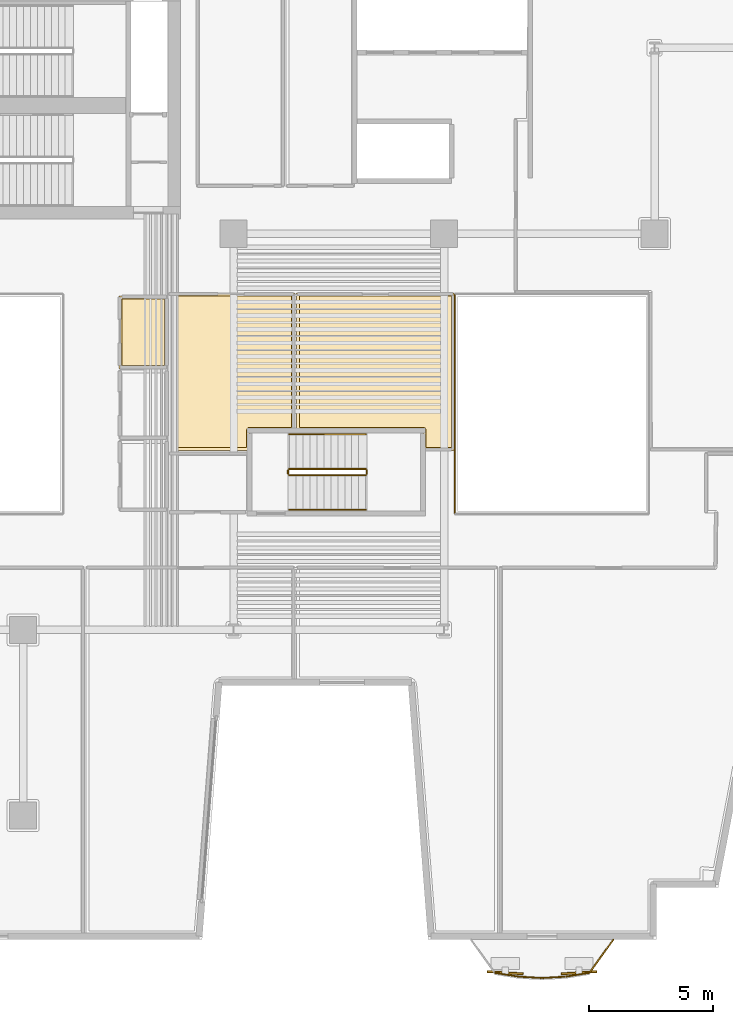
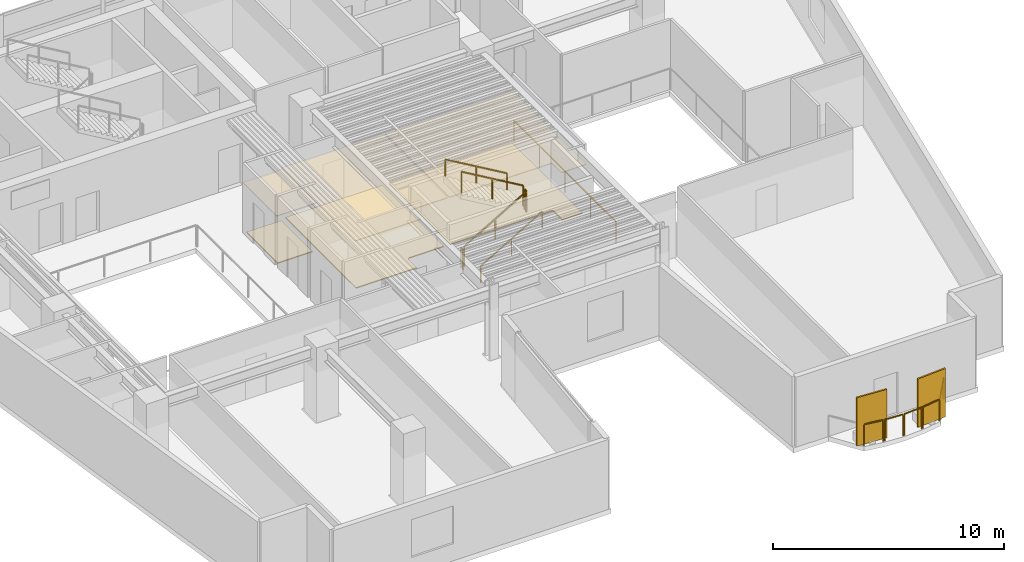
# One storey, part 10 of 12: 12 railings, 6 coverings, 2 shading devices.
"""IFC4 building model written with IfcOpenShell, lengths in metres."""

from ifc_helpers import new_model, si_unit, direction, frame, origin, origin_2d, place, context, subcontext, project, spatial, polyline, rectangle, outline, extrude, material, layer, layer_set, type_object, element, save


model = new_model("IFC4")

# Units and contexts
model_context = context("Model", 3, precision=1e-05, world=origin(), true_north=direction((0.0, 1.0)))
body_context = subcontext(model_context, "Body", "Model", "MODEL_VIEW")
ifc_project = project(units=[si_unit("LENGTHUNIT", "METRE"), si_unit("AREAUNIT", "SQUARE_METRE"), si_unit("VOLUMEUNIT", "CUBIC_METRE"), si_unit("PLANEANGLEUNIT", "RADIAN"), si_unit("MASSUNIT", "GRAM", prefix="KILO")], contexts=[model_context])

# Site, building, storey
site_placement = place(None, origin())
site = spatial("IfcSite", under=ifc_project, at=site_placement, CompositionType="ELEMENT")
building_placement = place(site_placement, origin())
building = spatial("IfcBuilding", under=site, at=building_placement, Name="Caeloran Harvest Quay", CompositionType="ELEMENT")
storey_placement = place(building_placement, frame((0.0, 0.0, 150.89990234375)))
storey = spatial("IfcBuildingStorey", under=building, at=storey_placement, Name="L35", CompositionType="ELEMENT", Elevation=150.89990234375)

# Coverings
ifc_material_1 = material(Name="Perforated Mineral-Fibre Acoustic Ceiling Tile", Category="ceiling")
ifc_layer_1 = layer(ifc_material_1, 0.0400390625, Name="Perforated Mineral-Fibre Acoustic Ceiling Tile")
ifc_layer_set_1 = layer_set([ifc_layer_1], Name="Perforated Mineral-Fibre Acoustic Ceiling Tile")
covering_type_1 = type_object("IfcCoveringType", Name="COV-CEILING-ACOUSTIC", PredefinedType="CEILING", material=ifc_layer_set_1)
covering_1_placement = place(storey_placement, frame((0.0, 0.0, 2.60009765625)))
element("IfcCovering", 1, at=covering_1_placement, inside=storey, type_object=covering_type_1, Name="L35 Male Washroom WC Acoustic Ceiling", PredefinedType="CEILING", context=body_context, shape_type="SweptSolid", body=[
    extrude(outline(polyline([(22.840087890625, 25.56005859375), (20.8701171875, 25.56005859375), (20.8701171875, 28.489990234375), (22.840087890625, 28.489990234375), (22.840087890625, 25.56005859375)])), origin(), (0.0, 0.0, 1.0), 0.0400390625),
])
covering_2_placement = place(storey_placement, frame((0.0, 0.0, 2.60009765625)))
element("IfcCovering", 2, at=covering_2_placement, inside=storey, type_object=covering_type_1, Name="Client Reception Salon Lounge Acoustic Ceiling", PredefinedType="CEILING", context=body_context, shape_type="SweptSolid", body=[
    extrude(outline(polyline([(22.8701171875, 28.512939453125), (22.85009765625, 28.52001953125), (22.85009765625, 28.610107421875), (27.9599609375, 28.610107421875), (27.9599609375, 23.06005859375), (26.139892578125, 23.06005859375), (26.139892578125, 22.239990234375), (22.8701171875, 22.239990234375), (22.8701171875, 28.512939453125)])), origin(), (0.0, 0.0, 1.0), 0.0400390625),
])
covering_3_placement = place(storey_placement, frame((0.0, 0.0, 2.60009765625)))
element("IfcCovering", 3, at=covering_3_placement, inside=storey, type_object=covering_type_1, Name="Supply-Chain Digital Trading Floor Office 9 Acoustic Ceiling", PredefinedType="CEILING", context=body_context, shape_type="SweptSolid", body=[
    extrude(outline(polyline([(33.159912109375, 23.06005859375), (28.0400390625, 23.06005859375), (28.0400390625, 28.610107421875), (34.409912109375, 28.610107421875), (34.409912109375, 22.239990234375), (33.159912109375, 22.239990234375), (33.159912109375, 23.06005859375)])), origin(), (0.0, 0.0, 1.0), 0.0400390625),
])
ifc_material_2 = material(Name="Calcium-Sulphate Raised Access Floor and Terrazzo Finish", Category="flooring")
ifc_layer_2 = layer(ifc_material_2, 0.050048828125, Name="Calcium-Sulphate Raised Access Floor and Terrazzo Finish")
ifc_layer_set_2 = layer_set([ifc_layer_2], Name="Calcium-Sulphate Raised Access Floor and Terrazzo Finish")
covering_type_2 = type_object("IfcCoveringType", Name="COV-FLOOR-RAISED", PredefinedType="FLOORING", material=ifc_layer_set_2)
covering_4_placement = place(storey_placement, origin())
element("IfcCovering", 4, at=covering_4_placement, inside=storey, type_object=covering_type_2, Name="L35 Male Washroom WC Raised Finish Flooring", PredefinedType="FLOORING", context=body_context, shape_type="SweptSolid", body=[
    extrude(outline(polyline([(22.719970703125, 25.679931640625), (20.989990234375, 25.679931640625), (20.989990234375, 28.3701171875), (22.719970703125, 28.3701171875), (22.719970703125, 25.679931640625)])), origin(), (0.0, 0.0, 1.0), 0.050048828125),
])
covering_5_placement = place(storey_placement, origin())
element("IfcCovering", 5, at=covering_5_placement, inside=storey, type_object=covering_type_2, Name="Client Reception Salon Lounge Raised Finish Flooring", PredefinedType="FLOORING", context=body_context, shape_type="SweptSolid", body=[
    extrude(outline(polyline([(22.989990234375, 28.489990234375), (27.840087890625, 28.489990234375), (27.840087890625, 23.179931640625), (26.084228515625, 23.169921875), (26.020263671875, 23.076904296875), (26.02001953125, 22.360107421875), (22.989990234375, 22.360107421875), (22.989990234375, 28.489990234375)])), origin(), (0.0, 0.0, 1.0), 0.050048828125),
])
covering_6_placement = place(storey_placement, origin())
element("IfcCovering", 6, at=covering_6_placement, inside=storey, type_object=covering_type_2, Name="Supply-Chain Digital Trading Floor Office 9 Raised Finish Flooring", PredefinedType="FLOORING", context=body_context, shape_type="SweptSolid", body=[
    extrude(outline(polyline([(33.280029296875, 23.070068359375), (33.25048828125, 23.14501953125), (33.169921875, 23.179931640625), (28.159912109375, 23.179931640625), (28.159912109375, 28.489990234375), (34.2900390625, 28.489990234375), (34.2900390625, 22.360107421875), (33.280029296875, 22.360107421875), (33.280029296875, 23.070068359375)])), origin(), (0.0, 0.0, 1.0), 0.050048828125),
])

# Railings
ifc_material_3 = material(Name="Powder-Coated Steel Post and Laminated Glass Guardrail", Category="steel")
ifc_layer_3 = layer(ifc_material_3, 0.06005859375, Name="Powder-Coated Steel Post and Laminated Glass Guardrail")
ifc_layer_set_3 = layer_set([ifc_layer_3], Name="Powder-Coated Steel Post and Laminated Glass Guardrail")
railing_type_1 = type_object("IfcRailingType", Name="GUARD-ATRIUM-1150", PredefinedType="GUARDRAIL", material=ifc_layer_set_3)
railing_1_placement = place(storey_placement, frame((34.429931640625, 28.5380859375, 0.0)))
element("IfcRailing", 7, at=railing_1_placement, inside=storey, type_object=railing_type_1, Name="L35 East Botanical Lightwell Guardrail Seg 4", PredefinedType="GUARDRAIL", context=body_context, shape_type="SweptSolid", body=[
    extrude(rectangle(XDim=0.048095703125, YDim=0.048095703125, at=origin_2d()), frame((0.0, 0.0, 1.1259765625), z_axis=(0.0, -1.0, 0.0), x_axis=(1.0, 0.0, 0.0)), (0.0, 0.0, 1.0), 8.826171875),
    extrude(rectangle(XDim=0.0419921875, YDim=0.0419921875, at=origin_2d()), origin(), (0.0, 0.0, 1.0), 1.101806640625),
    extrude(rectangle(XDim=0.0419921875, YDim=0.0419921875, at=origin_2d()), frame((0.0, -2.20654296875, 0.0)), (0.0, 0.0, 1.0), 1.101806640625),
    extrude(rectangle(XDim=0.0419921875, YDim=0.0419921875, at=origin_2d()), frame((0.0, -4.4130859375, 0.0)), (0.0, 0.0, 1.0), 1.101806640625),
    extrude(rectangle(XDim=0.0419921875, YDim=0.0419921875, at=origin_2d()), frame((0.0, -6.61962890625, 0.0)), (0.0, 0.0, 1.0), 1.101806640625),
    extrude(rectangle(XDim=0.0419921875, YDim=0.0419921875, at=origin_2d()), frame((0.0, -8.826171875, 0.0)), (0.0, 0.0, 1.0), 1.101806640625),
])
ifc_material_4 = material(Name="Laminated Safety Glass and Stainless Steel 316", Category="steel")
ifc_layer_4 = layer(ifc_material_4, 0.06005859375, Name="Laminated Safety Glass and Stainless Steel 316")
ifc_layer_set_4 = layer_set([ifc_layer_4], Name="Laminated Safety Glass and Stainless Steel 316")
railing_type_2 = type_object("IfcRailingType", Name="GUARD-BALUSTRADE-1150", PredefinedType="BALUSTRADE", material=ifc_layer_set_4)
railing_2_placement = place(storey_placement, frame((40.825927734375, 2.47998046875, 0.0)))
element("IfcRailing", 8, at=railing_2_placement, inside=storey, type_object=railing_type_2, Name="L35 Planted Balcony Perimeter Balustrade Guard Seg 1", PredefinedType="BALUSTRADE", context=body_context, shape_type="SweptSolid", body=[
    extrude(rectangle(XDim=0.048095703125, YDim=0.048095703125, at=origin_2d()), frame((0.0, 0.0, 1.1259765625), z_axis=(-0.583896070669, -0.811828417005, 0.0), x_axis=(0.811828417005, -0.583896070669, 0.0)), (0.0, 0.0, 1.0), 1.605712890625),
    extrude(rectangle(XDim=0.0419921875, YDim=0.0419921875, at=origin_2d()), origin(), (0.0, 0.0, 1.0), 1.101806640625),
    extrude(rectangle(XDim=0.0419921875, YDim=0.0419921875, at=origin_2d()), frame((-0.9375, -1.303466796875, 0.0)), (0.0, 0.0, 1.0), 1.101806640625),
])
railing_3_placement = place(storey_placement, frame((39.838134765625, 1.1455078125, 0.0)))
element("IfcRailing", 9, at=railing_3_placement, inside=storey, type_object=railing_type_2, Name="L35 Planted Balcony Perimeter Balustrade Guard Seg 2", PredefinedType="BALUSTRADE", context=body_context, shape_type="SweptSolid", body=[
    extrude(rectangle(XDim=0.048095703125, YDim=0.048095703125, at=origin_2d()), frame((0.0, 0.0, 1.1259765625), z_axis=(-0.987361321421, -0.158485396684, 0.0), x_axis=(0.158485396684, -0.987361321421, 0.0)), (0.0, 0.0, 1.0), 0.904296875),
    extrude(rectangle(XDim=0.0419921875, YDim=0.0419921875, at=origin_2d()), origin(), (0.0, 0.0, 1.0), 1.101806640625),
    extrude(rectangle(XDim=0.0419921875, YDim=0.0419921875, at=origin_2d()), frame((-0.892822265625, -0.143310546875, 0.0)), (0.0, 0.0, 1.0), 1.101806640625),
])
railing_4_placement = place(storey_placement, frame((38.8818359375, 0.9951171875, 0.0)))
element("IfcRailing", 10, at=railing_4_placement, inside=storey, type_object=railing_type_2, Name="L35 Planted Balcony Perimeter Balustrade Guard Seg 3", PredefinedType="BALUSTRADE", context=body_context, shape_type="SweptSolid", body=[
    extrude(rectangle(XDim=0.048095703125, YDim=0.048095703125, at=origin_2d()), frame((0.0, 0.0, 1.1259765625), z_axis=(-0.99829034714, -0.058449831543, 0.0), x_axis=(0.058449831543, -0.99829034714, 0.0)), (0.0, 0.0, 1.0), 0.893798828125),
    extrude(rectangle(XDim=0.0419921875, YDim=0.0419921875, at=origin_2d()), origin(), (0.0, 0.0, 1.0), 1.101806640625),
    extrude(rectangle(XDim=0.0419921875, YDim=0.0419921875, at=origin_2d()), frame((-0.892333984375, -0.05224609375, 0.0)), (0.0, 0.0, 1.0), 1.101806640625),
])
railing_5_placement = place(storey_placement, frame((37.925537109375, 0.94287109375, 0.0)))
element("IfcRailing", 11, at=railing_5_placement, inside=storey, type_object=railing_type_2, Name="L35 Planted Balcony Perimeter Balustrade Guard Seg 4", PredefinedType="BALUSTRADE", context=body_context, shape_type="SweptSolid", body=[
    extrude(rectangle(XDim=0.048095703125, YDim=0.048095703125, at=origin_2d()), frame((0.0, 0.0, 1.1259765625), z_axis=(-0.99829034714, 0.058449831543, 0.0), x_axis=(-0.058449831543, -0.99829034714, 0.0)), (0.0, 0.0, 1.0), 0.893798828125),
    extrude(rectangle(XDim=0.0419921875, YDim=0.0419921875, at=origin_2d()), origin(), (0.0, 0.0, 1.0), 1.101806640625),
    extrude(rectangle(XDim=0.0419921875, YDim=0.0419921875, at=origin_2d()), frame((-0.892333984375, 0.05224609375, 0.0)), (0.0, 0.0, 1.0), 1.101806640625),
])
railing_6_placement = place(storey_placement, frame((36.9697265625, 1.002197265625, 0.0)))
element("IfcRailing", 12, at=railing_6_placement, inside=storey, type_object=railing_type_2, Name="L35 Planted Balcony Perimeter Balustrade Guard Seg 5", PredefinedType="BALUSTRADE", context=body_context, shape_type="SweptSolid", body=[
    extrude(rectangle(XDim=0.048095703125, YDim=0.048095703125, at=origin_2d()), frame((0.0, 0.0, 1.1259765625), z_axis=(-0.987361321421, 0.158485396684, 0.0), x_axis=(-0.158485396684, -0.987361321421, 0.0)), (0.0, 0.0, 1.0), 0.904296875),
    extrude(rectangle(XDim=0.0419921875, YDim=0.0419921875, at=origin_2d()), origin(), (0.0, 0.0, 1.0), 1.101806640625),
    extrude(rectangle(XDim=0.0419921875, YDim=0.0419921875, at=origin_2d()), frame((-0.892822265625, 0.143310546875, 0.0)), (0.0, 0.0, 1.0), 1.101806640625),
])

# Shading devices
ifc_material_5 = material(Name="3003-H14 Perforated Powder-Coated Aluminium", Category="aluminium")
shading_device_type = type_object("IfcShadingDeviceType", Name="SHADE-SCREEN-FOLDED", PredefinedType="USERDEFINED", material=ifc_material_5)
for number, where, z_axis, x_axis, name in (
    (13, (39.44921875, 1.15478515625, 0.0751953125), (0.0, 0.0, 1.0), (0.997801468292, 0.0662739004, 0.0), "L35 Folded Facade Breathing Screen 1"),
    (14, (36.4658203125, 1.15478515625, 0.0751953125), (0.0, 0.0, 1.0), (0.997801468292, -0.0662739004, 0.0), "L35 Folded Facade Breathing Screen 2"),
):
    element("IfcShadingDevice", number, at=place(storey_placement, frame(where, z_axis=z_axis, x_axis=x_axis)), inside=storey, type_object=shading_device_type, Name=name, ObjectType="SCREEN", PredefinedType="USERDEFINED", context=body_context, shape_type="SweptSolid", body=[
        extrude(rectangle(XDim=1.449951171875, YDim=0.080078125, at=origin_2d()), origin(), (0.0, 0.0, 1.0), 2.550048828125),
    ])

# Railings
ifc_material_6 = material(Name="Painted Steel Baluster and Top-Rail Stair Guard", Category="steel")
ifc_layer_5 = layer(ifc_material_6, 0.050048828125, Name="Painted Steel Baluster and Top-Rail Stair Guard")
ifc_layer_set_5 = layer_set([ifc_layer_5], Name="Painted Steel Baluster and Top-Rail Stair Guard")
railing_type_3 = type_object("IfcRailingType", Name="STAIR-GUARD-1100", PredefinedType="GUARDRAIL", material=ifc_layer_set_5)
railing_7_placement = place(storey_placement, frame((27.75, 21.25, 0.164794921875)))
element("IfcRailing", 15, at=railing_7_placement, inside=storey, type_object=railing_type_3, Name="L35 ST-W1 stair guard 1", PredefinedType="GUARDRAIL", context=body_context, shape_type="SweptSolid", body=[
    extrude(rectangle(XDim=0.048095703125, YDim=0.048095703125, at=origin_2d()), frame((0.0, 0.0, 1.076171875), z_axis=(0.862118610829, 0.0, 0.506706523406), x_axis=(0.0, 1.0, 0.0)), (0.0, 0.0, 1.0), 3.57275390625),
    extrude(rectangle(XDim=0.0419921875, YDim=0.0419921875, at=origin_2d()), origin(), (0.0, 0.0, 1.0), 1.052001953125),
    extrude(rectangle(XDim=0.0419921875, YDim=0.0419921875, at=origin_2d()), frame((1.5400390625, 0.0, 0.9052734375)), (0.0, 0.0, 1.0), 1.052001953125),
    extrude(rectangle(XDim=0.0419921875, YDim=0.0419921875, at=origin_2d()), frame((3.080078125, 0.0, 1.810302734375)), (0.0, 0.0, 1.0), 1.052001953125),
])
railing_8_placement = place(storey_placement, frame((30.8798828125, 21.300048828125, 1.97509765625)))
element("IfcRailing", 16, at=railing_8_placement, inside=storey, type_object=railing_type_3, Name="L35 ST-W1 stair guard 2", PredefinedType="GUARDRAIL", context=body_context, shape_type="SweptSolid", body=[
    extrude(rectangle(XDim=0.048095703125, YDim=0.048095703125, at=origin_2d()), frame((0.0, 0.0, 1.076171875), z_axis=(0.0, 1.0, 0.0), x_axis=(-1.0, 0.0, 0.0)), (0.0, 0.0, 1.0), 0.14990234375),
    extrude(rectangle(XDim=0.0419921875, YDim=0.0419921875, at=origin_2d()), origin(), (0.0, 0.0, 1.0), 1.052001953125),
    extrude(rectangle(XDim=0.0419921875, YDim=0.0419921875, at=origin_2d()), frame((0.0, 0.14990234375, 0.0)), (0.0, 0.0, 1.0), 1.052001953125),
])
railing_9_placement = place(storey_placement, frame((30.830078125, 21.5, 2.1396484375)))
element("IfcRailing", 17, at=railing_9_placement, inside=storey, type_object=railing_type_3, Name="L35 ST-W1 stair guard 3", PredefinedType="GUARDRAIL", context=body_context, shape_type="SweptSolid", body=[
    extrude(rectangle(XDim=0.048095703125, YDim=0.048095703125, at=origin_2d()), frame((0.0, 0.0, 1.076171875), z_axis=(-0.862088758681, 0.0, 0.506757310905), x_axis=(0.0, -1.0, 0.0)), (0.0, 0.0, 1.0), 3.57275390625),
    extrude(rectangle(XDim=0.0419921875, YDim=0.0419921875, at=origin_2d()), origin(), (0.0, 0.0, 1.0), 1.052001953125),
    extrude(rectangle(XDim=0.0419921875, YDim=0.0419921875, at=origin_2d()), frame((-1.5400390625, 0.0, 0.9052734375)), (0.0, 0.0, 1.0), 1.052001953125),
    extrude(rectangle(XDim=0.0419921875, YDim=0.0419921875, at=origin_2d()), frame((-3.080078125, 0.0, 1.810546875)), (0.0, 0.0, 1.0), 1.052001953125),
])
railing_10_placement = place(storey_placement, frame((27.699951171875, 21.300048828125, 0.0)))
element("IfcRailing", 18, at=railing_10_placement, inside=storey, type_object=railing_type_3, Name="L35 ST-W1 stair guard 4", PredefinedType="GUARDRAIL", context=body_context, shape_type="SweptSolid", body=[
    extrude(rectangle(XDim=0.048095703125, YDim=0.048095703125, at=origin_2d()), frame((0.0, 0.0, 1.076171875), z_axis=(0.0, 1.0, 0.0), x_axis=(-1.0, 0.0, 0.0)), (0.0, 0.0, 1.0), 0.14990234375),
    extrude(rectangle(XDim=0.0419921875, YDim=0.0419921875, at=origin_2d()), origin(), (0.0, 0.0, 1.0), 1.052001953125),
    extrude(rectangle(XDim=0.0419921875, YDim=0.0419921875, at=origin_2d()), frame((0.0, 0.14990234375, 0.0)), (0.0, 0.0, 1.0), 1.052001953125),
])
ifc_material_7 = material(Name="Brushed Stainless Steel Grade 304", Category="steel")
ifc_layer_6 = layer(ifc_material_7, 0.050048828125, Name="Brushed Stainless Steel Grade 304")
ifc_layer_set_6 = layer_set([ifc_layer_6], Name="Brushed Stainless Steel Grade 304")
railing_type_4 = type_object("IfcRailingType", Name="STAIR-HANDRAIL-900", PredefinedType="HANDRAIL", material=ifc_layer_set_6)
railing_11_placement = place(storey_placement, frame((27.75, 19.85009765625, 0.164794921875)))
element("IfcRailing", 19, at=railing_11_placement, inside=storey, type_object=railing_type_4, Name="L35 ST-W1 stair handrail 1", PredefinedType="HANDRAIL", context=body_context, shape_type="SweptSolid", body=[
    extrude(rectangle(XDim=0.048095703125, YDim=0.048095703125, at=origin_2d()), frame((0.0, 0.0, 0.8759765625), z_axis=(0.862118610829, 0.0, 0.506706523406), x_axis=(0.0, 1.0, 0.0)), (0.0, 0.0, 1.0), 3.57275390625),
    extrude(rectangle(XDim=0.0419921875, YDim=0.0419921875, at=origin_2d()), origin(), (0.0, 0.0, 1.0), 0.851806640625),
    extrude(rectangle(XDim=0.0419921875, YDim=0.0419921875, at=origin_2d()), frame((1.5400390625, 0.0, 0.9052734375)), (0.0, 0.0, 1.0), 0.851806640625),
    extrude(rectangle(XDim=0.0419921875, YDim=0.0419921875, at=origin_2d()), frame((3.080078125, 0.0, 1.810302734375)), (0.0, 0.0, 1.0), 0.851806640625),
])
railing_12_placement = place(storey_placement, frame((30.830078125, 22.89990234375, 2.1396484375)))
element("IfcRailing", 20, at=railing_12_placement, inside=storey, type_object=railing_type_4, Name="L35 ST-W1 stair handrail 2", PredefinedType="HANDRAIL", context=body_context, shape_type="SweptSolid", body=[
    extrude(rectangle(XDim=0.048095703125, YDim=0.048095703125, at=origin_2d()), frame((0.0, 0.0, 0.8759765625), z_axis=(-0.862088758681, 0.0, 0.506757310905), x_axis=(0.0, -1.0, 0.0)), (0.0, 0.0, 1.0), 3.57275390625),
    extrude(rectangle(XDim=0.0419921875, YDim=0.0419921875, at=origin_2d()), origin(), (0.0, 0.0, 1.0), 0.851806640625),
    extrude(rectangle(XDim=0.0419921875, YDim=0.0419921875, at=origin_2d()), frame((-1.5400390625, 0.0, 0.9052734375)), (0.0, 0.0, 1.0), 0.851806640625),
    extrude(rectangle(XDim=0.0419921875, YDim=0.0419921875, at=origin_2d()), frame((-3.080078125, 0.0, 1.810546875)), (0.0, 0.0, 1.0), 0.851806640625),
])

save(model, "model.ifc")
